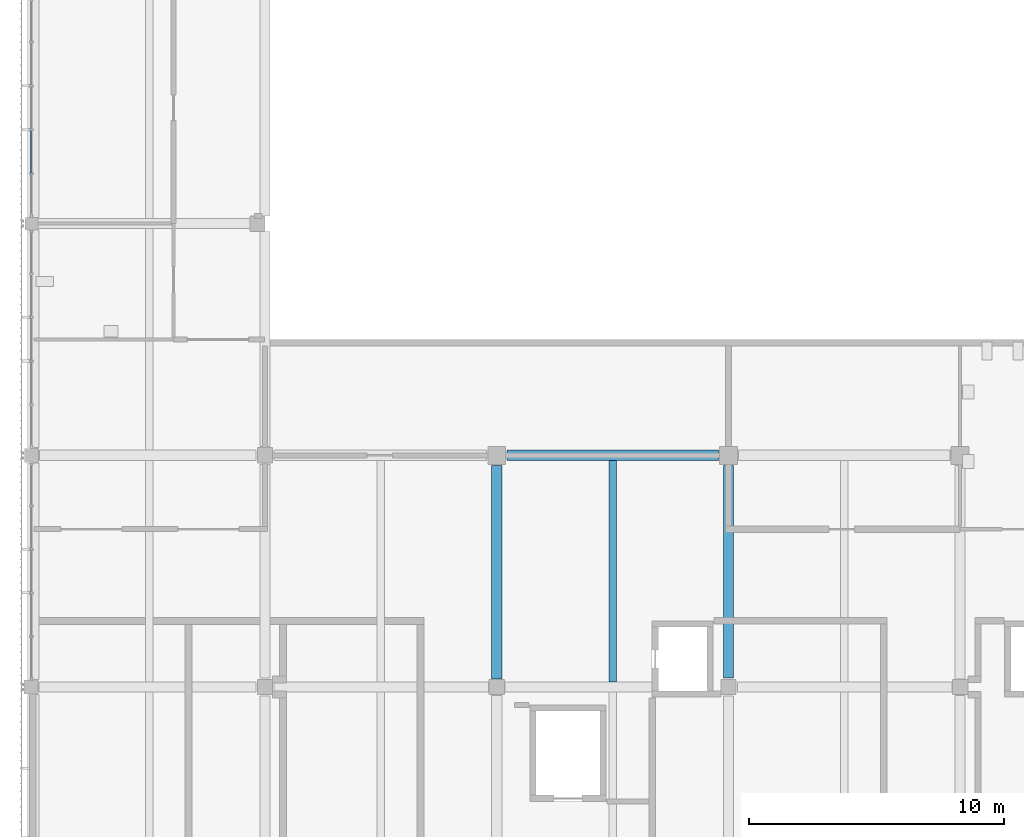
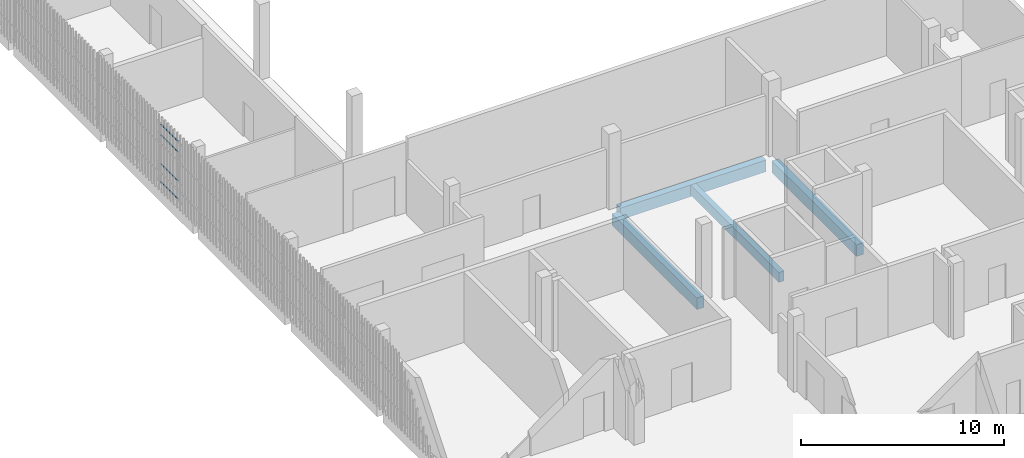
# One storey, part 17 of 124: 4 beams, 4 members, 1 element without a shape of its own.
"""IFC4 building model written with IfcOpenShell, lengths in metres."""

from ifc_helpers import new_model, si_unit, direction, frame, origin, origin_2d, place, context, subcontext, project, spatial, rectangle, hollow_rectangle, extrude, material, layer, layer_set, material_profile, profile_set, type_object, element, aggregate, save


model = new_model("IFC4")

# Units and contexts
model_context = context("Model", 3, precision=1e-05, world=origin(), true_north=direction((0.0, 1.0)))
body_context = subcontext(model_context, "Body", "Model", "MODEL_VIEW")
ifc_project = project(units=[si_unit("LENGTHUNIT", "METRE"), si_unit("AREAUNIT", "SQUARE_METRE"), si_unit("VOLUMEUNIT", "CUBIC_METRE"), si_unit("PLANEANGLEUNIT", "RADIAN"), si_unit("MASSUNIT", "GRAM", prefix="KILO")], contexts=[model_context])

# Site, building, storey
site_placement = place(None, origin())
site = spatial("IfcSite", under=ifc_project, at=site_placement, CompositionType="ELEMENT")
building_placement = place(site_placement, origin())
building = spatial("IfcBuilding", under=site, at=building_placement, Name="Shirokan Park Arena", CompositionType="ELEMENT")
storey_placement = place(building_placement, frame((0.0, 0.0, 20.02001953125)))
storey = spatial("IfcBuildingStorey", under=building, at=storey_placement, Name="L04", CompositionType="ELEMENT", Elevation=20.02001953125)

# Beams
ifc_material_1 = material(Name="Concrete C35", Category="concrete")
ifc_material_profile_1 = material_profile(ifc_material_1, rectangle(XDim=0.39990234375, YDim=0.699951171875, at=origin_2d()), Name="400x700")
ifc_profile_set_1 = profile_set([ifc_material_profile_1], Name="Concrete C35")
beam_type_1 = type_object("IfcBeamType", Name="RC girder 400x700", PredefinedType="BEAM", material=ifc_profile_set_1)
beam_1_placement = place(storey_placement, frame((18.60009765625, 36.39990234375, -0.60009765625), z_axis=(1.0, 0.0, 0.0), x_axis=(0.0, 1.0, 0.0)))
element("IfcBeam", 1, at=beam_1_placement, inside=storey, type_object=beam_type_1, Name="Girder 3E-4E L04", PredefinedType="BEAM", context=body_context, shape_type="SweptSolid", body=[
    extrude(rectangle(XDim=0.39990234375, YDim=0.699951171875, at=origin_2d()), origin(), (0.0, 0.0, 1.0), 8.2998046875),
])
beam_2_placement = place(storey_placement, frame((18.199951171875, 27.625, -0.60009765625), z_axis=(0.0, 1.0, 0.0), x_axis=(-1.0, 0.0, 0.0)))
element("IfcBeam", 2, at=beam_2_placement, inside=storey, type_object=beam_type_1, Name="Girder 3D-3E L04", PredefinedType="BEAM", context=body_context, shape_type="SweptSolid", body=[
    extrude(rectangle(XDim=0.39990234375, YDim=0.699951171875, at=origin_2d()), origin(), (0.0, 0.0, 1.0), 8.375),
])
beam_3_placement = place(storey_placement, frame((27.300048828125, 27.650146484375, -0.60009765625), z_axis=(0.0, 1.0, 0.0), x_axis=(-1.0, 0.0, 0.0)))
element("IfcBeam", 3, at=beam_3_placement, inside=storey, type_object=beam_type_1, Name="Girder 4D-4E L04", PredefinedType="BEAM", context=body_context, shape_type="SweptSolid", body=[
    extrude(rectangle(XDim=0.39990234375, YDim=0.699951171875, at=origin_2d()), origin(), (0.0, 0.0, 1.0), 8.349853515625),
])
ifc_material_profile_2 = material_profile(ifc_material_1, rectangle(XDim=0.300048828125, YDim=0.60009765625, at=origin_2d()), Name="300x600")
ifc_profile_set_2 = profile_set([ifc_material_profile_2], Name="Concrete C35")
beam_type_2 = type_object("IfcBeamType", Name="RC joist 300x600", PredefinedType="JOIST", material=ifc_profile_set_2)
beam_4_placement = place(storey_placement, frame((22.75, 27.5, -0.550048828125), z_axis=(0.0, 1.0, 0.0), x_axis=(-1.0, 0.0, 0.0)))
element("IfcBeam", 4, at=beam_4_placement, inside=storey, type_object=beam_type_2, Name="Joist 3D L04", PredefinedType="JOIST", context=body_context, shape_type="SweptSolid", body=[
    extrude(rectangle(XDim=0.300048828125, YDim=0.60009765625, at=origin_2d()), origin(), (0.0, 0.0, 1.0), 8.699951171875),
])

# Curtain wall, members
ifc_material_2 = material(Name="Steel and glass curtain wall", Category="steel")
ifc_layer = layer(ifc_material_2, 0.14990234375)
ifc_layer_set = layer_set([ifc_layer], Name="Steel and glass curtain wall 150 mm")
curtain_wall_type = type_object("IfcCurtainWallType", Name="Curtain wall exposed bay 150", PredefinedType="NOTDEFINED", material=ifc_layer_set)
curtain_wall_placement = place(storey_placement, origin())
curtain_wall = element("IfcCurtainWall", 5, at=curtain_wall_placement, inside=storey, type_object=curtain_wall_type, Name="Curtain wall west bay 7 L04", PredefinedType="NOTDEFINED")
ifc_material_3 = material(Name="Steel S355", Category="steel")
ifc_material_profile_3 = material_profile(ifc_material_3, hollow_rectangle(XDim=0.06005859375, YDim=0.0400390625, WallThickness=0.00390625, at=origin_2d()), Name="RHS 60x40x4")
ifc_profile_set_3 = profile_set([ifc_material_profile_3], Name="Steel S355")
member_type = type_object("IfcMemberType", Name="Transom RHS 60x40x4", PredefinedType="MULLION", material=ifc_profile_set_3)
member_1_placement = place(storey_placement, frame((-0.074951171875, 49.1650390625, 0.02001953125), z_axis=(0.0, -1.0, 0.0), x_axis=(1.0, 0.0, 0.0)))
member_1 = element("IfcMember", 6, at=member_1_placement, type_object=member_type, Name="CW1 transom 4.1", PredefinedType="MULLION", context=body_context, shape_type="SweptSolid", body=[
    extrude(hollow_rectangle(XDim=0.06005859375, YDim=0.0400390625, WallThickness=0.00390625, at=origin_2d()), origin(), (0.0, 0.0, 1.0), 1.669921875),
])
member_2_placement = place(storey_placement, frame((-0.074951171875, 49.1650390625, 1.10009765625), z_axis=(0.0, -1.0, 0.0), x_axis=(1.0, 0.0, 0.0)))
member_2 = element("IfcMember", 7, at=member_2_placement, type_object=member_type, Name="CW1 transom 4.2", PredefinedType="MULLION", context=body_context, shape_type="SweptSolid", body=[
    extrude(hollow_rectangle(XDim=0.06005859375, YDim=0.0400390625, WallThickness=0.00390625, at=origin_2d()), origin(), (0.0, 0.0, 1.0), 1.669921875),
])
member_3_placement = place(storey_placement, frame((-0.074951171875, 49.1650390625, 2.85009765625), z_axis=(0.0, -1.0, 0.0), x_axis=(1.0, 0.0, 0.0)))
member_3 = element("IfcMember", 8, at=member_3_placement, type_object=member_type, Name="CW1 transom 4.3", PredefinedType="MULLION", context=body_context, shape_type="SweptSolid", body=[
    extrude(hollow_rectangle(XDim=0.06005859375, YDim=0.0400390625, WallThickness=0.00390625, at=origin_2d()), origin(), (0.0, 0.0, 1.0), 1.669921875),
])
member_4_placement = place(storey_placement, frame((-0.074951171875, 49.1650390625, 3.47998046875), z_axis=(0.0, -1.0, 0.0), x_axis=(1.0, 0.0, 0.0)))
member_4 = element("IfcMember", 9, at=member_4_placement, type_object=member_type, Name="CW1 transom 4.4", PredefinedType="MULLION", context=body_context, shape_type="SweptSolid", body=[
    extrude(hollow_rectangle(XDim=0.06005859375, YDim=0.0400390625, WallThickness=0.00390625, at=origin_2d()), origin(), (0.0, 0.0, 1.0), 1.669921875),
])
aggregate(curtain_wall, [member_1, member_2, member_3, member_4])

save(model, "model.ifc")
